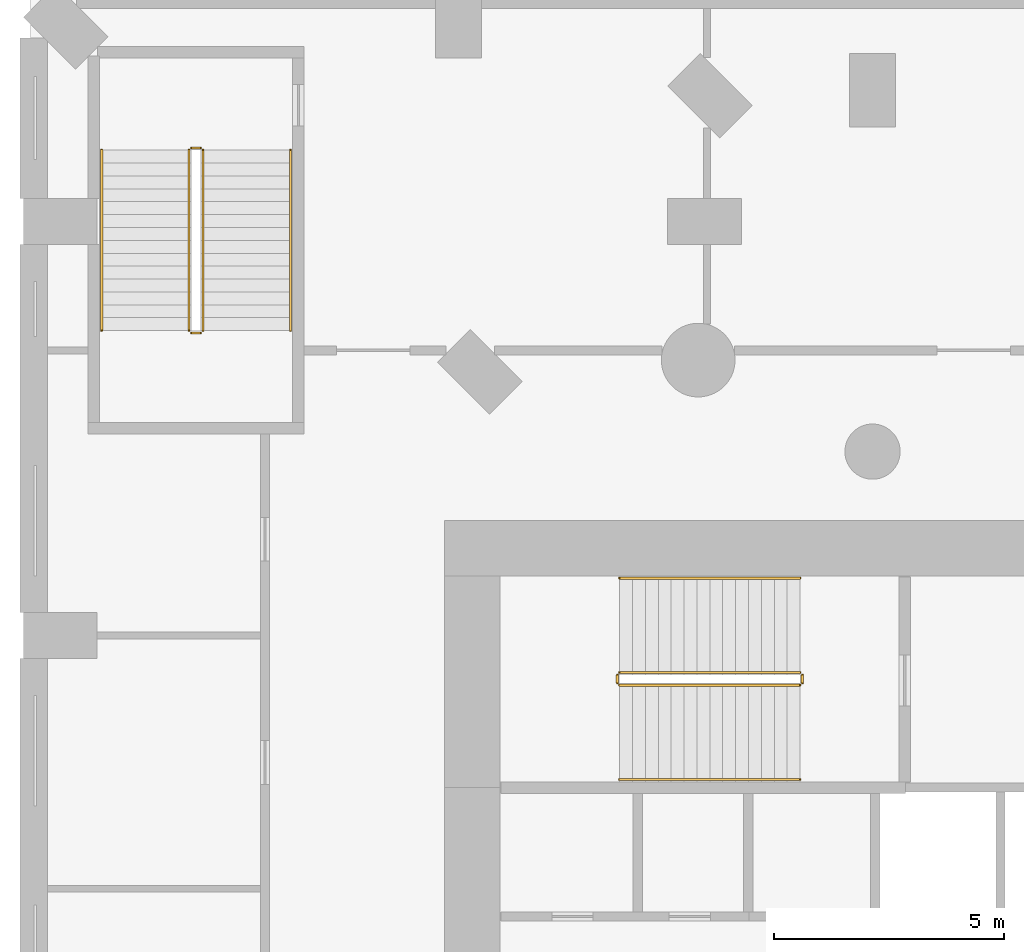
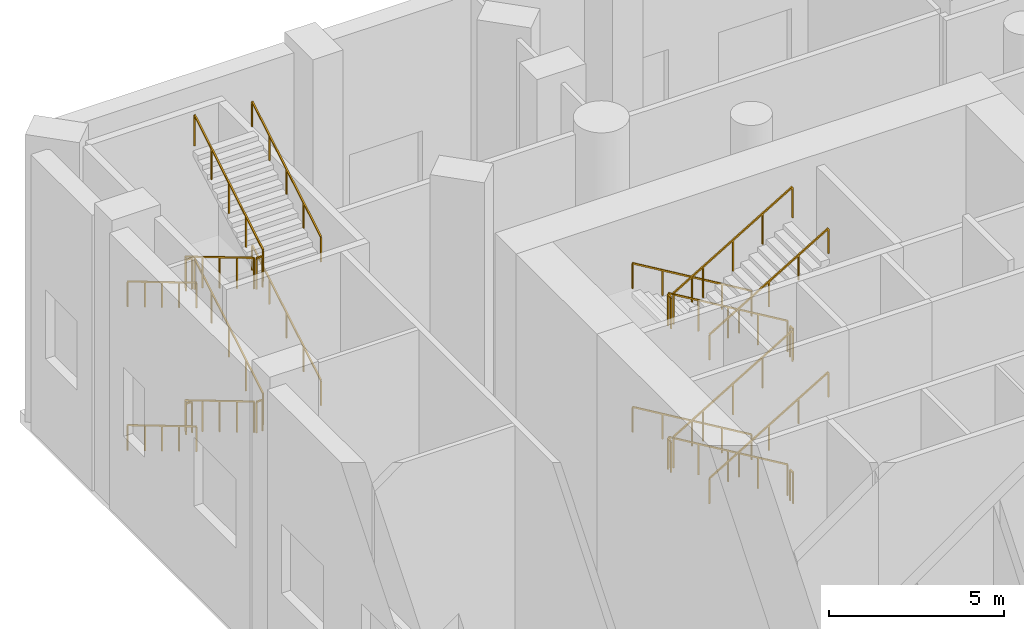
# One storey, part 15 of 16: 24 railings.
"""IFC4 building model written with IfcOpenShell, lengths in metres."""

import ifcopenshell
import ifcopenshell.guid

model = None  # the IFC model being written
_history = None  # IfcOwnerHistory: only IFC2X3 demands one
_inside = {}  # id of a spatial element -> (the spatial element, [elements in it])
_under = {}  # id of a project, library or spatial element -> (it, [spatial elements below it])
_declared = {}  # id of a project -> (the project, [libraries it declares])
_typed = {}  # id of a type object -> (the type object, [elements of that type])
_made_of = {}  # id of a material, layer set ... -> (it, [elements and type objects made of it])


def new_model(schema):
    """Start an empty IFC model of exactly this schema.

    Asked for "IFC4X3", IfcOpenShell would pick the latest addendum, in which some entities
    have other attributes; the version numbers below select the first issue.
    IFC2X3 requires an IfcOwnerHistory on every rooted entity: one is made here for all.
    """
    global model, _history
    if schema == "IFC4X3":
        model = ifcopenshell.file(schema_version=(4, 3, 0, 0))
    else:
        model = ifcopenshell.file(schema=schema)
    _inside.clear()
    _under.clear()
    _declared.clear()
    _typed.clear()
    _made_of.clear()
    _history = None
    if model.schema == "IFC2X3":
        org = make("IfcOrganization", Name="unknown")
        user = make(
            "IfcPersonAndOrganization",
            ThePerson=make("IfcPerson", FamilyName="unknown"),
            TheOrganization=org,
        )
        app = make(
            "IfcApplication",
            ApplicationDeveloper=org,
            Version="unknown",
            ApplicationFullName="unknown",
            ApplicationIdentifier="unknown",
        )
        _history = make(
            "IfcOwnerHistory",
            OwningUser=user,
            OwningApplication=app,
            ChangeAction="ADDED",
            CreationDate=0,
        )
    return model


def make(cls, **values):
    """One entity of the class cls with the attributes given. An attribute that is None is left unset."""
    return model.create_entity(
        cls, **{name: value for name, value in values.items() if value is not None}
    )


def rooted(cls, **values):
    """An entity with a GlobalId (a new one), such as an element, a storey or a relation."""
    return make(cls, GlobalId=ifcopenshell.guid.new(), OwnerHistory=_history, **values)


def si_unit(unit_type, name, prefix=None):
    """IfcSIUnit, for example si_unit("LENGTHUNIT", "METRE", prefix="MILLI")."""
    return make("IfcSIUnit", UnitType=unit_type, Prefix=prefix, Name=name)


def assignment(units):
    """IfcUnitAssignment: the units of a project."""
    return None if units is None else make("IfcUnitAssignment", Units=units)


def point(xyz):
    """IfcCartesianPoint."""
    return None if xyz is None else make("IfcCartesianPoint", Coordinates=xyz)


def direction(xyz):
    """IfcDirection."""
    return None if xyz is None else make("IfcDirection", DirectionRatios=xyz)


def frame(location, z_axis=None, x_axis=None):
    """IfcAxis2Placement3D, a coordinate frame: its origin and axes. An axis left out is left unset."""
    return make(
        "IfcAxis2Placement3D",
        Location=point(location),
        Axis=direction(z_axis),
        RefDirection=direction(x_axis),
    )


def frame_2d(location, x_axis=None):
    """IfcAxis2Placement2D, a coordinate frame in the plane: its origin and x axis."""
    return make(
        "IfcAxis2Placement2D", Location=point(location), RefDirection=direction(x_axis)
    )


def origin():
    """The frame at (0, 0, 0) with its axes left unset."""
    return frame((0.0, 0.0, 0.0))


def origin_2d():
    """The frame at (0, 0) in the plane with its x axis left unset."""
    return frame_2d((0.0, 0.0))


def place(relative_to, where):
    """IfcLocalPlacement: puts the frame where relative to a parent placement (None: the world)."""
    return make(
        "IfcLocalPlacement", PlacementRelTo=relative_to, RelativePlacement=where
    )


def context(
    kind, dimensions, precision=None, world=None, true_north=None, identifier=None
):
    """IfcGeometricRepresentationContext, for example the 3D "Model" context."""
    return make(
        "IfcGeometricRepresentationContext",
        ContextIdentifier=identifier,
        ContextType=kind,
        CoordinateSpaceDimension=dimensions,
        Precision=precision,
        WorldCoordinateSystem=world,
        TrueNorth=true_north,
    )


def subcontext(parent, identifier, kind, view, scale=None):
    """IfcGeometricRepresentationSubContext, for example "Body" below "Model"."""
    return make(
        "IfcGeometricRepresentationSubContext",
        ContextIdentifier=identifier,
        ContextType=kind,
        ParentContext=parent,
        TargetScale=scale,
        TargetView=view,
    )


def project(units=None, contexts=None):
    """IfcProject with its units and contexts."""
    return rooted(
        "IfcProject",
        Name="project",
        RepresentationContexts=contexts,
        UnitsInContext=assignment(units),
    )


def spatial(cls, under=None, at=None, **own):
    """A site, building, storey or space (cls), placed at a placement, below another one or the project."""
    s = rooted(cls, ObjectPlacement=at, **own)
    if under is not None:
        _under.setdefault(under.id(), (under, []))[1].append(s)
    return s


def profile(cls, at=None, kind="AREA", **sizes):
    """A parametric profile (cls). Its sizes go by their IFC names, for example OverallWidth=200.0."""
    return make(cls, ProfileType=kind, Position=at, **sizes)


def rectangle(**sizes):
    """IfcRectangleProfileDef."""
    return profile("IfcRectangleProfileDef", **sizes)


def extrude(swept, where, along, depth):
    """IfcExtrudedAreaSolid: the profile swept, set in the frame where, extruded along a direction by depth."""
    return make(
        "IfcExtrudedAreaSolid",
        SweptArea=swept,
        Position=where,
        ExtrudedDirection=direction(along),
        Depth=depth,
    )


def shape(context_of_items, identifier, shape_type, items):
    """IfcShapeRepresentation: the items that make up one representation, for example the "Body"."""
    return make(
        "IfcShapeRepresentation",
        ContextOfItems=context_of_items,
        RepresentationIdentifier=identifier,
        RepresentationType=shape_type,
        Items=items,
    )


def material(Name=None, Category=None):
    """IfcMaterial."""
    return make("IfcMaterial", Name=Name, Category=Category)


def made_of(thing, what):
    """Note that an element or type object is made of a material, layer set ...; save() writes the relation."""
    if what is not None:
        _made_of.setdefault(what.id(), (what, []))[1].append(thing)
    return thing


def type_object(cls, material=None, **own):
    """A type object (cls), such as IfcWallType, which elements share."""
    return made_of(rooted(cls, **own), material)


def element(
    cls,
    number,
    at=None,
    inside=None,
    cuts=None,
    type_object=None,
    material=None,
    context=None,
    identifier="Body",
    shape_type=None,
    held_by="IfcProductDefinitionShape",
    body=None,
    shapes=None,
    **own,
):
    """One element of the class cls, such as IfcWall. Its Tag is "e" and its number.

    at: its placement. inside: the storey or other place that contains it. cuts: it is an
    opening in that element (IfcRelVoidsElement). A single representation is given by context,
    identifier, shape_type and body (its items); several are given by shapes. held_by: the class
    of the entity that holds the representations. save() writes the other relations.
    """
    e = rooted(cls, Tag="e%d" % number, ObjectPlacement=at, **own)
    if body is not None:
        shapes = [shape(context, identifier, shape_type, body)]
    if shapes is not None:
        e.Representation = make(held_by, Representations=shapes)
    if inside is not None:
        _inside.setdefault(inside.id(), (inside, []))[1].append(e)
    if cuts is not None:
        rooted(
            "IfcRelVoidsElement", RelatingBuildingElement=cuts, RelatedOpeningElement=e
        )
    if type_object is not None:
        _typed.setdefault(type_object.id(), (type_object, []))[1].append(e)
    return made_of(e, material)


def aggregate(whole, parts):
    """IfcRelAggregates: a whole, such as a stair, and the parts it consists of."""
    return rooted("IfcRelAggregates", RelatingObject=whole, RelatedObjects=parts)


def save(model, path):
    """Write the relations noted so far, then the file.

    IfcRelAggregates (storeys below a building ...), IfcRelContainedInSpatialStructure (elements
    in a storey), IfcRelDefinesByType, IfcRelAssociatesMaterial and IfcRelDeclares: one each for
    every whole, place, type object, material and project.
    """
    for whole, parts in _under.values():
        aggregate(whole, parts)
    for where, things in _inside.values():
        rooted(
            "IfcRelContainedInSpatialStructure",
            RelatedElements=things,
            RelatingStructure=where,
        )
    for kind, things in _typed.values():
        rooted("IfcRelDefinesByType", RelatedObjects=things, RelatingType=kind)
    for what, things in _made_of.values():
        rooted("IfcRelAssociatesMaterial", RelatedObjects=things, RelatingMaterial=what)
    for by, libraries in _declared.values():
        rooted("IfcRelDeclares", RelatingContext=by, RelatedDefinitions=libraries)
    model.write(path)


model = new_model("IFC4")

# Units and contexts
model_context = context("Model", 3, precision=1e-05, world=origin(), true_north=direction((0.0, 1.0)))
body_context = subcontext(model_context, "Body", "Model", "MODEL_VIEW")
ifc_project = project(units=[si_unit("LENGTHUNIT", "METRE"), si_unit("AREAUNIT", "SQUARE_METRE"), si_unit("VOLUMEUNIT", "CUBIC_METRE"), si_unit("PLANEANGLEUNIT", "RADIAN"), si_unit("MASSUNIT", "GRAM", prefix="KILO")], contexts=[model_context])

# Site, building, storey
site_placement = place(None, origin())
site = spatial("IfcSite", under=ifc_project, at=site_placement, CompositionType="ELEMENT")
building_placement = place(site_placement, origin())
building = spatial("IfcBuilding", under=site, at=building_placement, Name="Cypress Arch Tower", CompositionType="ELEMENT")
storey_placement = place(building_placement, frame((0.0, 0.0, 9.0)))
storey = spatial("IfcBuildingStorey", under=building, at=storey_placement, Name="L01", CompositionType="ELEMENT", Elevation=9.0)

# Railings
ifc_material_1 = material(Name="Black powder-coated steel square bar 48 mm", Category="steel")
railing_type_1 = type_object("IfcRailingType", Name="Stair handrail HR1", PredefinedType="HANDRAIL", material=ifc_material_1)
railing_1_placement = place(storey_placement, frame((-22.27490234375, 14.75, 0.166748046875)))
element("IfcRailing", 1, at=railing_1_placement, inside=storey, type_object=railing_type_1, Name="L01 B stair handrail 1", PredefinedType="HANDRAIL", context=body_context, shape_type="SweptSolid", body=[
    extrude(rectangle(XDim=0.048095703125, YDim=0.048095703125, at=origin_2d()), frame((0.0, 0.0, 0.8759765625), z_axis=(-0.859310244771, 0.0, 0.511454693235), x_axis=(0.0, -1.0, 0.0)), (0.0, 0.0, 1.0), 4.56201171875),
    extrude(rectangle(XDim=0.0419921875, YDim=0.0419921875, at=origin_2d()), origin(), (0.0, 0.0, 1.0), 0.851806640625),
    extrude(rectangle(XDim=0.0419921875, YDim=0.0419921875, at=origin_2d()), frame((-0.97998046875, 0.0, 0.583251953125)), (0.0, 0.0, 1.0), 0.851806640625),
    extrude(rectangle(XDim=0.0419921875, YDim=0.0419921875, at=origin_2d()), frame((-1.9599609375, 0.0, 1.16650390625)), (0.0, 0.0, 1.0), 0.851806640625),
    extrude(rectangle(XDim=0.0419921875, YDim=0.0419921875, at=origin_2d()), frame((-2.940185546875, 0.0, 1.75)), (0.0, 0.0, 1.0), 0.851806640625),
    extrude(rectangle(XDim=0.0419921875, YDim=0.0419921875, at=origin_2d()), frame((-3.920166015625, 0.0, 2.333251953125)), (0.0, 0.0, 1.0), 0.851806640625),
])
railing_2_placement = place(storey_placement, frame((-26.195068359375, 10.375, 2.666748046875)))
element("IfcRailing", 2, at=railing_2_placement, inside=storey, type_object=railing_type_1, Name="L01 B stair handrail 2", PredefinedType="HANDRAIL", context=body_context, shape_type="SweptSolid", body=[
    extrude(rectangle(XDim=0.048095703125, YDim=0.048095703125, at=origin_2d()), frame((0.0, 0.0, 0.8759765625), z_axis=(0.859310244771, 0.0, 0.511454693235), x_axis=(0.0, 1.0, 0.0)), (0.0, 0.0, 1.0), 4.56201171875),
    extrude(rectangle(XDim=0.0419921875, YDim=0.0419921875, at=origin_2d()), origin(), (0.0, 0.0, 1.0), 0.851806640625),
    extrude(rectangle(XDim=0.0419921875, YDim=0.0419921875, at=origin_2d()), frame((0.97998046875, 0.0, 0.583251953125)), (0.0, 0.0, 1.0), 0.851806640625),
    extrude(rectangle(XDim=0.0419921875, YDim=0.0419921875, at=origin_2d()), frame((1.9599609375, 0.0, 1.16650390625)), (0.0, 0.0, 1.0), 0.851806640625),
    extrude(rectangle(XDim=0.0419921875, YDim=0.0419921875, at=origin_2d()), frame((2.940185546875, 0.0, 1.75)), (0.0, 0.0, 1.0), 0.851806640625),
    extrude(rectangle(XDim=0.0419921875, YDim=0.0419921875, at=origin_2d()), frame((3.920166015625, 0.0, 2.333251953125)), (0.0, 0.0, 1.0), 0.851806640625),
])
railing_3_placement = place(storey_placement, frame((-22.27490234375, 14.75, 5.166748046875)))
element("IfcRailing", 3, at=railing_3_placement, inside=storey, type_object=railing_type_1, Name="L01 B stair handrail 3", PredefinedType="HANDRAIL", context=body_context, shape_type="SweptSolid", body=[
    extrude(rectangle(XDim=0.048095703125, YDim=0.048095703125, at=origin_2d()), frame((0.0, 0.0, 0.8759765625), z_axis=(-0.859310244771, 0.0, 0.511454693235), x_axis=(0.0, -1.0, 0.0)), (0.0, 0.0, 1.0), 4.56201171875),
    extrude(rectangle(XDim=0.0419921875, YDim=0.0419921875, at=origin_2d()), origin(), (0.0, 0.0, 1.0), 0.851806640625),
    extrude(rectangle(XDim=0.0419921875, YDim=0.0419921875, at=origin_2d()), frame((-0.97998046875, 0.0, 0.583251953125)), (0.0, 0.0, 1.0), 0.851806640625),
    extrude(rectangle(XDim=0.0419921875, YDim=0.0419921875, at=origin_2d()), frame((-1.9599609375, 0.0, 1.16650390625)), (0.0, 0.0, 1.0), 0.851806640625),
    extrude(rectangle(XDim=0.0419921875, YDim=0.0419921875, at=origin_2d()), frame((-2.940185546875, 0.0, 1.75)), (0.0, 0.0, 1.0), 0.851806640625),
    extrude(rectangle(XDim=0.0419921875, YDim=0.0419921875, at=origin_2d()), frame((-3.920166015625, 0.0, 2.333251953125)), (0.0, 0.0, 1.0), 0.851806640625),
])
railing_4_placement = place(storey_placement, frame((-26.195068359375, 10.375, 7.666748046875)))
element("IfcRailing", 4, at=railing_4_placement, inside=storey, type_object=railing_type_1, Name="L01 B stair handrail 4", PredefinedType="HANDRAIL", context=body_context, shape_type="SweptSolid", body=[
    extrude(rectangle(XDim=0.048095703125, YDim=0.048095703125, at=origin_2d()), frame((0.0, 0.0, 0.8759765625), z_axis=(0.859310244771, 0.0, 0.511454693235), x_axis=(0.0, 1.0, 0.0)), (0.0, 0.0, 1.0), 4.56201171875),
    extrude(rectangle(XDim=0.0419921875, YDim=0.0419921875, at=origin_2d()), origin(), (0.0, 0.0, 1.0), 0.851806640625),
    extrude(rectangle(XDim=0.0419921875, YDim=0.0419921875, at=origin_2d()), frame((0.97998046875, 0.0, 0.583251953125)), (0.0, 0.0, 1.0), 0.851806640625),
    extrude(rectangle(XDim=0.0419921875, YDim=0.0419921875, at=origin_2d()), frame((1.9599609375, 0.0, 1.16650390625)), (0.0, 0.0, 1.0), 0.851806640625),
    extrude(rectangle(XDim=0.0419921875, YDim=0.0419921875, at=origin_2d()), frame((2.940185546875, 0.0, 1.75)), (0.0, 0.0, 1.0), 0.851806640625),
    extrude(rectangle(XDim=0.0419921875, YDim=0.0419921875, at=origin_2d()), frame((3.920166015625, 0.0, 2.333251953125)), (0.0, 0.0, 1.0), 0.851806640625),
])
railing_5_placement = place(storey_placement, frame((-37.449951171875, 24.050048828125, 0.166748046875)))
element("IfcRailing", 5, at=railing_5_placement, inside=storey, type_object=railing_type_1, Name="L01 P2 stair handrail 1", PredefinedType="HANDRAIL", context=body_context, shape_type="SweptSolid", body=[
    extrude(rectangle(XDim=0.048095703125, YDim=0.048095703125, at=origin_2d()), frame((0.0, 0.0, 0.8759765625), z_axis=(0.0, -0.859310244771, 0.511454693235), x_axis=(1.0, 0.0, 0.0)), (0.0, 0.0, 1.0), 4.56201171875),
    extrude(rectangle(XDim=0.0419921875, YDim=0.0419921875, at=origin_2d()), origin(), (0.0, 0.0, 1.0), 0.851806640625),
    extrude(rectangle(XDim=0.0419921875, YDim=0.0419921875, at=origin_2d()), frame((0.0, -0.97998046875, 0.583251953125)), (0.0, 0.0, 1.0), 0.851806640625),
    extrude(rectangle(XDim=0.0419921875, YDim=0.0419921875, at=origin_2d()), frame((0.0, -1.9599609375, 1.16650390625)), (0.0, 0.0, 1.0), 0.851806640625),
    extrude(rectangle(XDim=0.0419921875, YDim=0.0419921875, at=origin_2d()), frame((0.0, -2.940185546875, 1.75)), (0.0, 0.0, 1.0), 0.851806640625),
    extrude(rectangle(XDim=0.0419921875, YDim=0.0419921875, at=origin_2d()), frame((0.0, -3.920166015625, 2.333251953125)), (0.0, 0.0, 1.0), 0.851806640625),
])
railing_6_placement = place(storey_placement, frame((-33.35009765625, 20.1298828125, 2.666748046875)))
element("IfcRailing", 6, at=railing_6_placement, inside=storey, type_object=railing_type_1, Name="L01 P2 stair handrail 2", PredefinedType="HANDRAIL", context=body_context, shape_type="SweptSolid", body=[
    extrude(rectangle(XDim=0.048095703125, YDim=0.048095703125, at=origin_2d()), frame((0.0, 0.0, 0.8759765625), z_axis=(0.0, 0.859310244771, 0.511454693235), x_axis=(-1.0, 0.0, 0.0)), (0.0, 0.0, 1.0), 4.56201171875),
    extrude(rectangle(XDim=0.0419921875, YDim=0.0419921875, at=origin_2d()), origin(), (0.0, 0.0, 1.0), 0.851806640625),
    extrude(rectangle(XDim=0.0419921875, YDim=0.0419921875, at=origin_2d()), frame((0.0, 0.97998046875, 0.583251953125)), (0.0, 0.0, 1.0), 0.851806640625),
    extrude(rectangle(XDim=0.0419921875, YDim=0.0419921875, at=origin_2d()), frame((0.0, 1.9599609375, 1.16650390625)), (0.0, 0.0, 1.0), 0.851806640625),
    extrude(rectangle(XDim=0.0419921875, YDim=0.0419921875, at=origin_2d()), frame((0.0, 2.940185546875, 1.75)), (0.0, 0.0, 1.0), 0.851806640625),
    extrude(rectangle(XDim=0.0419921875, YDim=0.0419921875, at=origin_2d()), frame((0.0, 3.920166015625, 2.333251953125)), (0.0, 0.0, 1.0), 0.851806640625),
])
railing_7_placement = place(storey_placement, frame((-37.449951171875, 24.050048828125, 5.166748046875)))
element("IfcRailing", 7, at=railing_7_placement, inside=storey, type_object=railing_type_1, Name="L01 P2 stair handrail 3", PredefinedType="HANDRAIL", context=body_context, shape_type="SweptSolid", body=[
    extrude(rectangle(XDim=0.048095703125, YDim=0.048095703125, at=origin_2d()), frame((0.0, 0.0, 0.8759765625), z_axis=(0.0, -0.859310244771, 0.511454693235), x_axis=(1.0, 0.0, 0.0)), (0.0, 0.0, 1.0), 4.56201171875),
    extrude(rectangle(XDim=0.0419921875, YDim=0.0419921875, at=origin_2d()), origin(), (0.0, 0.0, 1.0), 0.851806640625),
    extrude(rectangle(XDim=0.0419921875, YDim=0.0419921875, at=origin_2d()), frame((0.0, -0.97998046875, 0.583251953125)), (0.0, 0.0, 1.0), 0.851806640625),
    extrude(rectangle(XDim=0.0419921875, YDim=0.0419921875, at=origin_2d()), frame((0.0, -1.9599609375, 1.16650390625)), (0.0, 0.0, 1.0), 0.851806640625),
    extrude(rectangle(XDim=0.0419921875, YDim=0.0419921875, at=origin_2d()), frame((0.0, -2.940185546875, 1.75)), (0.0, 0.0, 1.0), 0.851806640625),
    extrude(rectangle(XDim=0.0419921875, YDim=0.0419921875, at=origin_2d()), frame((0.0, -3.920166015625, 2.333251953125)), (0.0, 0.0, 1.0), 0.851806640625),
])
railing_8_placement = place(storey_placement, frame((-33.35009765625, 20.1298828125, 7.666748046875)))
element("IfcRailing", 8, at=railing_8_placement, inside=storey, type_object=railing_type_1, Name="L01 P2 stair handrail 4", PredefinedType="HANDRAIL", context=body_context, shape_type="SweptSolid", body=[
    extrude(rectangle(XDim=0.048095703125, YDim=0.048095703125, at=origin_2d()), frame((0.0, 0.0, 0.8759765625), z_axis=(0.0, 0.859310244771, 0.511454693235), x_axis=(-1.0, 0.0, 0.0)), (0.0, 0.0, 1.0), 4.56201171875),
    extrude(rectangle(XDim=0.0419921875, YDim=0.0419921875, at=origin_2d()), origin(), (0.0, 0.0, 1.0), 0.851806640625),
    extrude(rectangle(XDim=0.0419921875, YDim=0.0419921875, at=origin_2d()), frame((0.0, 0.97998046875, 0.583251953125)), (0.0, 0.0, 1.0), 0.851806640625),
    extrude(rectangle(XDim=0.0419921875, YDim=0.0419921875, at=origin_2d()), frame((0.0, 1.9599609375, 1.16650390625)), (0.0, 0.0, 1.0), 0.851806640625),
    extrude(rectangle(XDim=0.0419921875, YDim=0.0419921875, at=origin_2d()), frame((0.0, 2.940185546875, 1.75)), (0.0, 0.0, 1.0), 0.851806640625),
    extrude(rectangle(XDim=0.0419921875, YDim=0.0419921875, at=origin_2d()), frame((0.0, 3.920166015625, 2.333251953125)), (0.0, 0.0, 1.0), 0.851806640625),
])
ifc_material_2 = material(Name="Black powder-coated steel balusters", Category="steel")
railing_type_2 = type_object("IfcRailingType", Name="Stair well guard G1", PredefinedType="GUARDRAIL", material=ifc_material_2)
railing_9_placement = place(storey_placement, frame((-22.27490234375, 12.699951171875, 0.166748046875)))
element("IfcRailing", 9, at=railing_9_placement, inside=storey, type_object=railing_type_2, Name="L01 B stair guard 1", PredefinedType="GUARDRAIL", context=body_context, shape_type="SweptSolid", body=[
    extrude(rectangle(XDim=0.048095703125, YDim=0.048095703125, at=origin_2d()), frame((0.0, 0.0, 1.076171875), z_axis=(-0.859310244771, 0.0, 0.511454693235), x_axis=(0.0, -1.0, 0.0)), (0.0, 0.0, 1.0), 4.56201171875),
    extrude(rectangle(XDim=0.0419921875, YDim=0.0419921875, at=origin_2d()), origin(), (0.0, 0.0, 1.0), 1.052001953125),
    extrude(rectangle(XDim=0.0419921875, YDim=0.0419921875, at=origin_2d()), frame((-0.97998046875, 0.0, 0.583251953125)), (0.0, 0.0, 1.0), 1.052001953125),
    extrude(rectangle(XDim=0.0419921875, YDim=0.0419921875, at=origin_2d()), frame((-1.9599609375, 0.0, 1.16650390625)), (0.0, 0.0, 1.0), 1.052001953125),
    extrude(rectangle(XDim=0.0419921875, YDim=0.0419921875, at=origin_2d()), frame((-2.940185546875, 0.0, 1.75)), (0.0, 0.0, 1.0), 1.052001953125),
    extrude(rectangle(XDim=0.0419921875, YDim=0.0419921875, at=origin_2d()), frame((-3.920166015625, 0.0, 2.333251953125)), (0.0, 0.0, 1.0), 1.052001953125),
])
railing_10_placement = place(storey_placement, frame((-26.2451171875, 12.64990234375, 2.5)))
element("IfcRailing", 10, at=railing_10_placement, inside=storey, type_object=railing_type_2, Name="L01 B stair guard 2", PredefinedType="GUARDRAIL", context=body_context, shape_type="SweptSolid", body=[
    extrude(rectangle(XDim=0.048095703125, YDim=0.048095703125, at=origin_2d()), frame((0.0, 0.0, 1.076171875), z_axis=(0.0, -1.0, 0.0), x_axis=(1.0, 0.0, 0.0)), (0.0, 0.0, 1.0), 0.1748046875),
    extrude(rectangle(XDim=0.0419921875, YDim=0.0419921875, at=origin_2d()), origin(), (0.0, 0.0, 1.0), 1.052001953125),
    extrude(rectangle(XDim=0.0419921875, YDim=0.0419921875, at=origin_2d()), frame((0.0, -0.1748046875, 0.0)), (0.0, 0.0, 1.0), 1.052001953125),
])
railing_11_placement = place(storey_placement, frame((-26.195068359375, 12.425048828125, 2.666748046875)))
element("IfcRailing", 11, at=railing_11_placement, inside=storey, type_object=railing_type_2, Name="L01 B stair guard 3", PredefinedType="GUARDRAIL", context=body_context, shape_type="SweptSolid", body=[
    extrude(rectangle(XDim=0.048095703125, YDim=0.048095703125, at=origin_2d()), frame((0.0, 0.0, 1.076171875), z_axis=(0.859310244771, 0.0, 0.511454693235), x_axis=(0.0, 1.0, 0.0)), (0.0, 0.0, 1.0), 4.56201171875),
    extrude(rectangle(XDim=0.0419921875, YDim=0.0419921875, at=origin_2d()), origin(), (0.0, 0.0, 1.0), 1.052001953125),
    extrude(rectangle(XDim=0.0419921875, YDim=0.0419921875, at=origin_2d()), frame((0.97998046875, 0.0, 0.583251953125)), (0.0, 0.0, 1.0), 1.052001953125),
    extrude(rectangle(XDim=0.0419921875, YDim=0.0419921875, at=origin_2d()), frame((1.9599609375, 0.0, 1.16650390625)), (0.0, 0.0, 1.0), 1.052001953125),
    extrude(rectangle(XDim=0.0419921875, YDim=0.0419921875, at=origin_2d()), frame((2.940185546875, 0.0, 1.75)), (0.0, 0.0, 1.0), 1.052001953125),
    extrude(rectangle(XDim=0.0419921875, YDim=0.0419921875, at=origin_2d()), frame((3.920166015625, 0.0, 2.333251953125)), (0.0, 0.0, 1.0), 1.052001953125),
])
railing_12_placement = place(storey_placement, frame((-22.22509765625, 12.64990234375, 5.0)))
element("IfcRailing", 12, at=railing_12_placement, inside=storey, type_object=railing_type_2, Name="L01 B stair guard 4", PredefinedType="GUARDRAIL", context=body_context, shape_type="SweptSolid", body=[
    extrude(rectangle(XDim=0.048095703125, YDim=0.048095703125, at=origin_2d()), frame((0.0, 0.0, 1.076171875), z_axis=(0.0, -1.0, 0.0), x_axis=(1.0, 0.0, 0.0)), (0.0, 0.0, 1.0), 0.1748046875),
    extrude(rectangle(XDim=0.0419921875, YDim=0.0419921875, at=origin_2d()), origin(), (0.0, 0.0, 1.0), 1.052001953125),
    extrude(rectangle(XDim=0.0419921875, YDim=0.0419921875, at=origin_2d()), frame((0.0, -0.1748046875, 0.0)), (0.0, 0.0, 1.0), 1.052001953125),
])
railing_13_placement = place(storey_placement, frame((-22.27490234375, 12.699951171875, 5.166748046875)))
element("IfcRailing", 13, at=railing_13_placement, inside=storey, type_object=railing_type_2, Name="L01 B stair guard 5", PredefinedType="GUARDRAIL", context=body_context, shape_type="SweptSolid", body=[
    extrude(rectangle(XDim=0.048095703125, YDim=0.048095703125, at=origin_2d()), frame((0.0, 0.0, 1.076171875), z_axis=(-0.859310244771, 0.0, 0.511454693235), x_axis=(0.0, -1.0, 0.0)), (0.0, 0.0, 1.0), 4.56201171875),
    extrude(rectangle(XDim=0.0419921875, YDim=0.0419921875, at=origin_2d()), origin(), (0.0, 0.0, 1.0), 1.052001953125),
    extrude(rectangle(XDim=0.0419921875, YDim=0.0419921875, at=origin_2d()), frame((-0.97998046875, 0.0, 0.583251953125)), (0.0, 0.0, 1.0), 1.052001953125),
    extrude(rectangle(XDim=0.0419921875, YDim=0.0419921875, at=origin_2d()), frame((-1.9599609375, 0.0, 1.16650390625)), (0.0, 0.0, 1.0), 1.052001953125),
    extrude(rectangle(XDim=0.0419921875, YDim=0.0419921875, at=origin_2d()), frame((-2.940185546875, 0.0, 1.75)), (0.0, 0.0, 1.0), 1.052001953125),
    extrude(rectangle(XDim=0.0419921875, YDim=0.0419921875, at=origin_2d()), frame((-3.920166015625, 0.0, 2.333251953125)), (0.0, 0.0, 1.0), 1.052001953125),
])
railing_14_placement = place(storey_placement, frame((-26.2451171875, 12.64990234375, 7.5)))
element("IfcRailing", 14, at=railing_14_placement, inside=storey, type_object=railing_type_2, Name="L01 B stair guard 6", PredefinedType="GUARDRAIL", context=body_context, shape_type="SweptSolid", body=[
    extrude(rectangle(XDim=0.048095703125, YDim=0.048095703125, at=origin_2d()), frame((0.0, 0.0, 1.076171875), z_axis=(0.0, -1.0, 0.0), x_axis=(1.0, 0.0, 0.0)), (0.0, 0.0, 1.0), 0.1748046875),
    extrude(rectangle(XDim=0.0419921875, YDim=0.0419921875, at=origin_2d()), origin(), (0.0, 0.0, 1.0), 1.052001953125),
    extrude(rectangle(XDim=0.0419921875, YDim=0.0419921875, at=origin_2d()), frame((0.0, -0.1748046875, 0.0)), (0.0, 0.0, 1.0), 1.052001953125),
])
railing_15_placement = place(storey_placement, frame((-26.195068359375, 12.425048828125, 7.666748046875)))
element("IfcRailing", 15, at=railing_15_placement, inside=storey, type_object=railing_type_2, Name="L01 B stair guard 7", PredefinedType="GUARDRAIL", context=body_context, shape_type="SweptSolid", body=[
    extrude(rectangle(XDim=0.048095703125, YDim=0.048095703125, at=origin_2d()), frame((0.0, 0.0, 1.076171875), z_axis=(0.859310244771, 0.0, 0.511454693235), x_axis=(0.0, 1.0, 0.0)), (0.0, 0.0, 1.0), 4.56201171875),
    extrude(rectangle(XDim=0.0419921875, YDim=0.0419921875, at=origin_2d()), origin(), (0.0, 0.0, 1.0), 1.052001953125),
    extrude(rectangle(XDim=0.0419921875, YDim=0.0419921875, at=origin_2d()), frame((0.97998046875, 0.0, 0.583251953125)), (0.0, 0.0, 1.0), 1.052001953125),
    extrude(rectangle(XDim=0.0419921875, YDim=0.0419921875, at=origin_2d()), frame((1.9599609375, 0.0, 1.16650390625)), (0.0, 0.0, 1.0), 1.052001953125),
    extrude(rectangle(XDim=0.0419921875, YDim=0.0419921875, at=origin_2d()), frame((2.940185546875, 0.0, 1.75)), (0.0, 0.0, 1.0), 1.052001953125),
    extrude(rectangle(XDim=0.0419921875, YDim=0.0419921875, at=origin_2d()), frame((3.920166015625, 0.0, 2.333251953125)), (0.0, 0.0, 1.0), 1.052001953125),
])
railing_16_placement = place(storey_placement, frame((-22.22509765625, 12.64990234375, 0.0)))
element("IfcRailing", 16, at=railing_16_placement, inside=storey, type_object=railing_type_2, Name="L01 B stair guard 8", PredefinedType="GUARDRAIL", context=body_context, shape_type="SweptSolid", body=[
    extrude(rectangle(XDim=0.048095703125, YDim=0.048095703125, at=origin_2d()), frame((0.0, 0.0, 1.076171875), z_axis=(0.0, -1.0, 0.0), x_axis=(1.0, 0.0, 0.0)), (0.0, 0.0, 1.0), 0.1748046875),
    extrude(rectangle(XDim=0.0419921875, YDim=0.0419921875, at=origin_2d()), origin(), (0.0, 0.0, 1.0), 1.052001953125),
    extrude(rectangle(XDim=0.0419921875, YDim=0.0419921875, at=origin_2d()), frame((0.0, -0.1748046875, 0.0)), (0.0, 0.0, 1.0), 1.052001953125),
])
railing_17_placement = place(storey_placement, frame((-35.550048828125, 24.050048828125, 0.166748046875)))
element("IfcRailing", 17, at=railing_17_placement, inside=storey, type_object=railing_type_2, Name="L01 P2 stair guard 1", PredefinedType="GUARDRAIL", context=body_context, shape_type="SweptSolid", body=[
    extrude(rectangle(XDim=0.048095703125, YDim=0.048095703125, at=origin_2d()), frame((0.0, 0.0, 1.076171875), z_axis=(0.0, -0.859310244771, 0.511454693235), x_axis=(1.0, 0.0, 0.0)), (0.0, 0.0, 1.0), 4.56201171875),
    extrude(rectangle(XDim=0.0419921875, YDim=0.0419921875, at=origin_2d()), origin(), (0.0, 0.0, 1.0), 1.052001953125),
    extrude(rectangle(XDim=0.0419921875, YDim=0.0419921875, at=origin_2d()), frame((0.0, -0.97998046875, 0.583251953125)), (0.0, 0.0, 1.0), 1.052001953125),
    extrude(rectangle(XDim=0.0419921875, YDim=0.0419921875, at=origin_2d()), frame((0.0, -1.9599609375, 1.16650390625)), (0.0, 0.0, 1.0), 1.052001953125),
    extrude(rectangle(XDim=0.0419921875, YDim=0.0419921875, at=origin_2d()), frame((0.0, -2.940185546875, 1.75)), (0.0, 0.0, 1.0), 1.052001953125),
    extrude(rectangle(XDim=0.0419921875, YDim=0.0419921875, at=origin_2d()), frame((0.0, -3.920166015625, 2.333251953125)), (0.0, 0.0, 1.0), 1.052001953125),
])
railing_18_placement = place(storey_placement, frame((-35.5, 20.080078125, 2.5)))
element("IfcRailing", 18, at=railing_18_placement, inside=storey, type_object=railing_type_2, Name="L01 P2 stair guard 2", PredefinedType="GUARDRAIL", context=body_context, shape_type="SweptSolid", body=[
    extrude(rectangle(XDim=0.048095703125, YDim=0.048095703125, at=origin_2d()), frame((0.0, 0.0, 1.076171875), z_axis=(1.0, 0.0, 0.0), x_axis=(0.0, 1.0, 0.0)), (0.0, 0.0, 1.0), 0.199951171875),
    extrude(rectangle(XDim=0.0419921875, YDim=0.0419921875, at=origin_2d()), origin(), (0.0, 0.0, 1.0), 1.052001953125),
    extrude(rectangle(XDim=0.0419921875, YDim=0.0419921875, at=origin_2d()), frame((0.199951171875, 0.0, 0.0)), (0.0, 0.0, 1.0), 1.052001953125),
])
railing_19_placement = place(storey_placement, frame((-35.25, 20.1298828125, 2.666748046875)))
element("IfcRailing", 19, at=railing_19_placement, inside=storey, type_object=railing_type_2, Name="L01 P2 stair guard 3", PredefinedType="GUARDRAIL", context=body_context, shape_type="SweptSolid", body=[
    extrude(rectangle(XDim=0.048095703125, YDim=0.048095703125, at=origin_2d()), frame((0.0, 0.0, 1.076171875), z_axis=(0.0, 0.859310244771, 0.511454693235), x_axis=(-1.0, 0.0, 0.0)), (0.0, 0.0, 1.0), 4.56201171875),
    extrude(rectangle(XDim=0.0419921875, YDim=0.0419921875, at=origin_2d()), origin(), (0.0, 0.0, 1.0), 1.052001953125),
    extrude(rectangle(XDim=0.0419921875, YDim=0.0419921875, at=origin_2d()), frame((0.0, 0.97998046875, 0.583251953125)), (0.0, 0.0, 1.0), 1.052001953125),
    extrude(rectangle(XDim=0.0419921875, YDim=0.0419921875, at=origin_2d()), frame((0.0, 1.9599609375, 1.16650390625)), (0.0, 0.0, 1.0), 1.052001953125),
    extrude(rectangle(XDim=0.0419921875, YDim=0.0419921875, at=origin_2d()), frame((0.0, 2.940185546875, 1.75)), (0.0, 0.0, 1.0), 1.052001953125),
    extrude(rectangle(XDim=0.0419921875, YDim=0.0419921875, at=origin_2d()), frame((0.0, 3.920166015625, 2.333251953125)), (0.0, 0.0, 1.0), 1.052001953125),
])
railing_20_placement = place(storey_placement, frame((-35.5, 24.10009765625, 5.0)))
element("IfcRailing", 20, at=railing_20_placement, inside=storey, type_object=railing_type_2, Name="L01 P2 stair guard 4", PredefinedType="GUARDRAIL", context=body_context, shape_type="SweptSolid", body=[
    extrude(rectangle(XDim=0.048095703125, YDim=0.048095703125, at=origin_2d()), frame((0.0, 0.0, 1.076171875), z_axis=(1.0, 0.0, 0.0), x_axis=(0.0, 1.0, 0.0)), (0.0, 0.0, 1.0), 0.199951171875),
    extrude(rectangle(XDim=0.0419921875, YDim=0.0419921875, at=origin_2d()), origin(), (0.0, 0.0, 1.0), 1.052001953125),
    extrude(rectangle(XDim=0.0419921875, YDim=0.0419921875, at=origin_2d()), frame((0.199951171875, 0.0, 0.0)), (0.0, 0.0, 1.0), 1.052001953125),
])
railing_21_placement = place(storey_placement, frame((-35.550048828125, 24.050048828125, 5.166748046875)))
element("IfcRailing", 21, at=railing_21_placement, inside=storey, type_object=railing_type_2, Name="L01 P2 stair guard 5", PredefinedType="GUARDRAIL", context=body_context, shape_type="SweptSolid", body=[
    extrude(rectangle(XDim=0.048095703125, YDim=0.048095703125, at=origin_2d()), frame((0.0, 0.0, 1.076171875), z_axis=(0.0, -0.859310244771, 0.511454693235), x_axis=(1.0, 0.0, 0.0)), (0.0, 0.0, 1.0), 4.56201171875),
    extrude(rectangle(XDim=0.0419921875, YDim=0.0419921875, at=origin_2d()), origin(), (0.0, 0.0, 1.0), 1.052001953125),
    extrude(rectangle(XDim=0.0419921875, YDim=0.0419921875, at=origin_2d()), frame((0.0, -0.97998046875, 0.583251953125)), (0.0, 0.0, 1.0), 1.052001953125),
    extrude(rectangle(XDim=0.0419921875, YDim=0.0419921875, at=origin_2d()), frame((0.0, -1.9599609375, 1.16650390625)), (0.0, 0.0, 1.0), 1.052001953125),
    extrude(rectangle(XDim=0.0419921875, YDim=0.0419921875, at=origin_2d()), frame((0.0, -2.940185546875, 1.75)), (0.0, 0.0, 1.0), 1.052001953125),
    extrude(rectangle(XDim=0.0419921875, YDim=0.0419921875, at=origin_2d()), frame((0.0, -3.920166015625, 2.333251953125)), (0.0, 0.0, 1.0), 1.052001953125),
])
railing_22_placement = place(storey_placement, frame((-35.5, 20.080078125, 7.5)))
element("IfcRailing", 22, at=railing_22_placement, inside=storey, type_object=railing_type_2, Name="L01 P2 stair guard 6", PredefinedType="GUARDRAIL", context=body_context, shape_type="SweptSolid", body=[
    extrude(rectangle(XDim=0.048095703125, YDim=0.048095703125, at=origin_2d()), frame((0.0, 0.0, 1.076171875), z_axis=(1.0, 0.0, 0.0), x_axis=(0.0, 1.0, 0.0)), (0.0, 0.0, 1.0), 0.199951171875),
    extrude(rectangle(XDim=0.0419921875, YDim=0.0419921875, at=origin_2d()), origin(), (0.0, 0.0, 1.0), 1.052001953125),
    extrude(rectangle(XDim=0.0419921875, YDim=0.0419921875, at=origin_2d()), frame((0.199951171875, 0.0, 0.0)), (0.0, 0.0, 1.0), 1.052001953125),
])
railing_23_placement = place(storey_placement, frame((-35.25, 20.1298828125, 7.666748046875)))
element("IfcRailing", 23, at=railing_23_placement, inside=storey, type_object=railing_type_2, Name="L01 P2 stair guard 7", PredefinedType="GUARDRAIL", context=body_context, shape_type="SweptSolid", body=[
    extrude(rectangle(XDim=0.048095703125, YDim=0.048095703125, at=origin_2d()), frame((0.0, 0.0, 1.076171875), z_axis=(0.0, 0.859310244771, 0.511454693235), x_axis=(-1.0, 0.0, 0.0)), (0.0, 0.0, 1.0), 4.56201171875),
    extrude(rectangle(XDim=0.0419921875, YDim=0.0419921875, at=origin_2d()), origin(), (0.0, 0.0, 1.0), 1.052001953125),
    extrude(rectangle(XDim=0.0419921875, YDim=0.0419921875, at=origin_2d()), frame((0.0, 0.97998046875, 0.583251953125)), (0.0, 0.0, 1.0), 1.052001953125),
    extrude(rectangle(XDim=0.0419921875, YDim=0.0419921875, at=origin_2d()), frame((0.0, 1.9599609375, 1.16650390625)), (0.0, 0.0, 1.0), 1.052001953125),
    extrude(rectangle(XDim=0.0419921875, YDim=0.0419921875, at=origin_2d()), frame((0.0, 2.940185546875, 1.75)), (0.0, 0.0, 1.0), 1.052001953125),
    extrude(rectangle(XDim=0.0419921875, YDim=0.0419921875, at=origin_2d()), frame((0.0, 3.920166015625, 2.333251953125)), (0.0, 0.0, 1.0), 1.052001953125),
])
railing_24_placement = place(storey_placement, frame((-35.5, 24.10009765625, 0.0)))
element("IfcRailing", 24, at=railing_24_placement, inside=storey, type_object=railing_type_2, Name="L01 P2 stair guard 8", PredefinedType="GUARDRAIL", context=body_context, shape_type="SweptSolid", body=[
    extrude(rectangle(XDim=0.048095703125, YDim=0.048095703125, at=origin_2d()), frame((0.0, 0.0, 1.076171875), z_axis=(1.0, 0.0, 0.0), x_axis=(0.0, 1.0, 0.0)), (0.0, 0.0, 1.0), 0.199951171875),
    extrude(rectangle(XDim=0.0419921875, YDim=0.0419921875, at=origin_2d()), origin(), (0.0, 0.0, 1.0), 1.052001953125),
    extrude(rectangle(XDim=0.0419921875, YDim=0.0419921875, at=origin_2d()), frame((0.199951171875, 0.0, 0.0)), (0.0, 0.0, 1.0), 1.052001953125),
])

save(model, "model.ifc")
